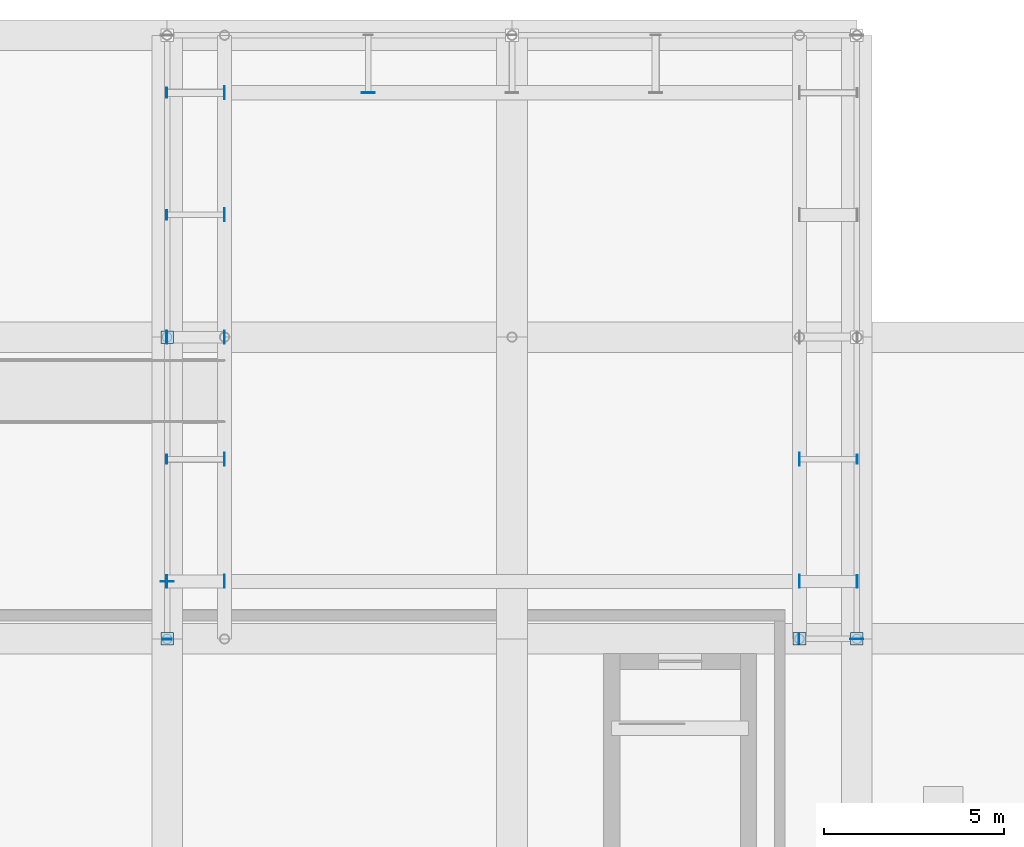
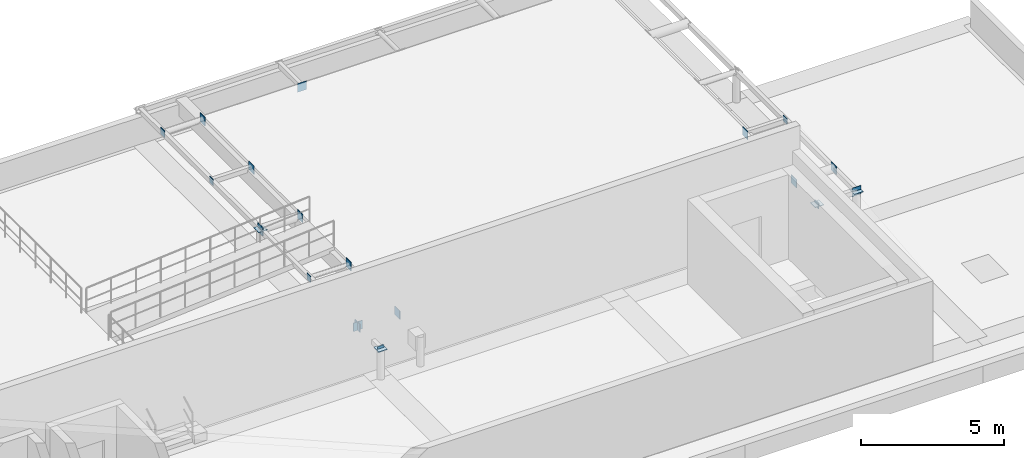
# One storey, part 5 of 8: 24 plates.
"""IFC4 building model written with IfcOpenShell, lengths in metres."""

from ifc_helpers import new_model, si_unit, direction, frame, origin, origin_2d, place, context, subcontext, project, spatial, rectangle, extrude, material, layer, layer_set, type_object, element, save


model = new_model("IFC4")

# Units and contexts
model_context = context("Model", 3, precision=1e-05, world=origin(), true_north=direction((0.0, 1.0)))
body_context = subcontext(model_context, "Body", "Model", "MODEL_VIEW")
ifc_project = project(units=[si_unit("LENGTHUNIT", "METRE"), si_unit("AREAUNIT", "SQUARE_METRE"), si_unit("VOLUMEUNIT", "CUBIC_METRE"), si_unit("PLANEANGLEUNIT", "RADIAN"), si_unit("MASSUNIT", "GRAM", prefix="KILO")], contexts=[model_context])

# Site, building, storey
site_placement = place(None, origin())
site = spatial("IfcSite", under=ifc_project, at=site_placement, CompositionType="ELEMENT")
building_placement = place(site_placement, origin())
building = spatial("IfcBuilding", under=site, at=building_placement, Name="Oolite Switchyard Hospital", CompositionType="ELEMENT")
storey_placement = place(building_placement, frame((0.0, 0.0, 34.60009765625)))
storey = spatial("IfcBuildingStorey", under=building, at=storey_placement, Name="RF", CompositionType="ELEMENT", Elevation=34.60009765625)

# Plates
ifc_material = material(Name="Steel ASTM A572 Grade 50", Category="steel")
ifc_layer_1 = layer(ifc_material, 0.02001953125)
ifc_layer_set_1 = layer_set([ifc_layer_1], Name="PLT-CAP-260")
plate_type_1 = type_object("IfcPlateType", Name="PLT-CAP-260", PredefinedType="SHEET", material=ifc_layer_set_1)
for number, where, z_axis, x_axis, name in (
    (1, (182.39990234375, 117.590087890625, 1.1201171875), (0.0, 0.0, 1.0), (1.0, 0.0, 0.0), "RF Hollow-Section End Cap Plate 151"),
    (2, (199.989990234375, 117.60009765625, 1.1201171875), (0.0, 0.0, 1.0), (0.0, 1.0, 0.0), "RF Hollow-Section End Cap Plate 152"),
    (3, (201.610107421875, 122.60009765625, 1.1201171875), (0.0, 0.0, 1.0), (0.0, 1.0, 0.0), "RF Hollow-Section End Cap Plate 166"),
    (4, (182.389892578125, 122.60009765625, 1.1201171875), (0.0, 0.0, 1.0), (0.0, 1.0, 0.0), "RF Hollow-Section End Cap Plate 167"),
    (5, (182.389892578125, 129.39990234375, 1.1201171875), (0.0, 0.0, 1.0), (0.0, 1.0, 0.0), "RF Hollow-Section End Cap Plate 171"),
):
    element("IfcPlate", number, at=place(storey_placement, frame(where, z_axis=z_axis, x_axis=x_axis)), inside=storey, type_object=plate_type_1, Name=name, PredefinedType="SHEET", context=body_context, shape_type="SweptSolid", body=[
        extrude(rectangle(XDim=0.260009765625, YDim=0.02001953125, at=origin_2d()), origin(), (0.0, 0.0, 1.0), 0.260009765625),
    ])
ifc_layer_2 = layer(ifc_material, 0.02099609375)
ifc_layer_set_2 = layer_set([ifc_layer_2], Name="PLT-CAP-290")
plate_type_2 = type_object("IfcPlateType", Name="PLT-CAP-290", PredefinedType="SHEET", material=ifc_layer_set_2)
plate_placement = place(storey_placement, frame((182.389892578125, 132.800048828125, 1.10498046875), z_axis=(0.0, 0.0, 1.0), x_axis=(0.0, 1.0, 0.0)))
element("IfcPlate", 6, at=plate_placement, inside=storey, type_object=plate_type_2, Name="RF Hollow-Section End Cap Plate 173", PredefinedType="SHEET", context=body_context, shape_type="SweptSolid", body=[
    extrude(rectangle(XDim=0.2900390625, YDim=0.02099609375, at=origin_2d()), origin(), (0.0, 0.0, 1.0), 0.2900390625),
])
ifc_layer_3 = layer(ifc_material, 0.02392578125)
ifc_layer_set_3 = layer_set([ifc_layer_3], Name="PLT-CAP-350")
plate_type_3 = type_object("IfcPlateType", Name="PLT-CAP-350", PredefinedType="SHEET", material=ifc_layer_set_3)
for number, where, z_axis, x_axis, name in (
    (7, (182.39990234375, 117.60009765625, 1.25), (0.0, 0.0, 1.0), (1.0, 0.0, 0.0), "RF Post Top Cap Plate 153"),
    (8, (200.0, 117.60009765625, 1.25), (0.0, 0.0, 1.0), (1.0, 0.0, 0.0), "RF Post Top Cap Plate 154"),
    (9, (201.60009765625, 117.60009765625, 1.25), (0.0, 0.0, 1.0), (1.0, 0.0, 0.0), "RF Post Top Cap Plate 155"),
    (10, (182.39990234375, 126.0, 1.25), (0.0, 0.0, 1.0), (1.0, 0.0, 0.0), "RF Post Top Cap Plate 156"),
):
    element("IfcPlate", number, at=place(storey_placement, frame(where, z_axis=z_axis, x_axis=x_axis)), inside=storey, type_object=plate_type_3, Name=name, PredefinedType="SHEET", context=body_context, shape_type="SweptSolid", body=[
        extrude(rectangle(XDim=0.35009765625, YDim=0.35009765625, at=origin_2d()), origin(), (0.0, 0.0, 1.0), 0.02392578125),
    ])
for number, where, z_axis, x_axis, name in (
    (11, (201.612060546875, 119.199951171875, 1.074951171875), (0.0, 0.0, 1.0), (0.0, 1.0, 0.0), "RF Hollow-Section End Cap Plate 164"),
    (12, (182.387939453125, 119.199951171875, 1.074951171875), (0.0, 0.0, 1.0), (0.0, 1.0, 0.0), "RF Hollow-Section End Cap Plate 165"),
    (13, (182.387939453125, 126.0, 1.074951171875), (0.0, 0.0, 1.0), (0.0, 1.0, 0.0), "RF Hollow-Section End Cap Plate 169"),
):
    element("IfcPlate", number, at=place(storey_placement, frame(where, z_axis=z_axis, x_axis=x_axis)), inside=storey, type_object=plate_type_3, Name=name, PredefinedType="SHEET", context=body_context, shape_type="SweptSolid", body=[
        extrude(rectangle(XDim=0.35009765625, YDim=0.02392578125, at=origin_2d()), origin(), (0.0, 0.0, 1.0), 0.35009765625),
    ])
ifc_layer_4 = layer(ifc_material, 0.02392578125)
ifc_layer_set_4 = layer_set([ifc_layer_4], Name="PLT-GUS-360")
plate_type_4 = type_object("IfcPlateType", Name="PLT-GUS-360", PredefinedType="SHEET", material=ifc_layer_set_4)
for number, where, z_axis, x_axis, name in (
    (14, (182.39990234375, 119.199951171875, 1.06982421875), (0.0, 0.0, 1.0), (1.0, 0.0, 0.0), "RF Safety-Net Gusset Connection Plate 174"),
    (15, (182.39990234375, 126.0, 1.06982421875), (0.0, 0.0, 1.0), (0.0, 1.0, 0.0), "RF Safety-Net Gusset Connection Plate 175"),
    (16, (184.0, 119.199951171875, 1.06982421875), (0.0, 0.0, 1.0), (0.0, 1.0, 0.0), "RF Safety-Net Gusset Connection Plate 177"),
    (17, (184.0, 122.60009765625, 1.06982421875), (0.0, 0.0, 1.0), (0.0, 1.0, 0.0), "RF Safety-Net Gusset Connection Plate 178"),
    (18, (184.0, 126.0, 1.06982421875), (0.0, 0.0, 1.0), (0.0, 1.0, 0.0), "RF Safety-Net Gusset Connection Plate 179"),
    (19, (184.0, 129.39990234375, 1.06982421875), (0.0, 0.0, 1.0), (0.0, 1.0, 0.0), "RF Safety-Net Gusset Connection Plate 180"),
    (20, (184.0, 132.800048828125, 1.06982421875), (0.0, 0.0, 1.0), (0.0, 1.0, 0.0), "RF Safety-Net Gusset Connection Plate 181"),
    (21, (188.0, 132.800048828125, 1.06982421875), (0.0, 0.0, 1.0), (1.0, 0.0, 0.0), "RF Safety-Net Gusset Connection Plate 182"),
    (22, (200.0, 119.199951171875, 1.06982421875), (0.0, 0.0, 1.0), (0.0, 1.0, 0.0), "RF Safety-Net Gusset Connection Plate 185"),
    (23, (200.0, 122.60009765625, 1.06982421875), (0.0, 0.0, 1.0), (0.0, 1.0, 0.0), "RF Safety-Net Gusset Connection Plate 186"),
    (24, (201.60009765625, 117.60009765625, 1.06982421875), (0.0, 0.0, 1.0), (1.0, 0.0, 0.0), "RF Safety-Net Gusset Connection Plate 190"),
):
    element("IfcPlate", number, at=place(storey_placement, frame(where, z_axis=z_axis, x_axis=x_axis)), inside=storey, type_object=plate_type_4, Name=name, PredefinedType="SHEET", context=body_context, shape_type="SweptSolid", body=[
        extrude(rectangle(XDim=0.360107421875, YDim=0.02392578125, at=origin_2d()), origin(), (0.0, 0.0, 1.0), 0.360107421875),
    ])

save(model, "model.ifc")
